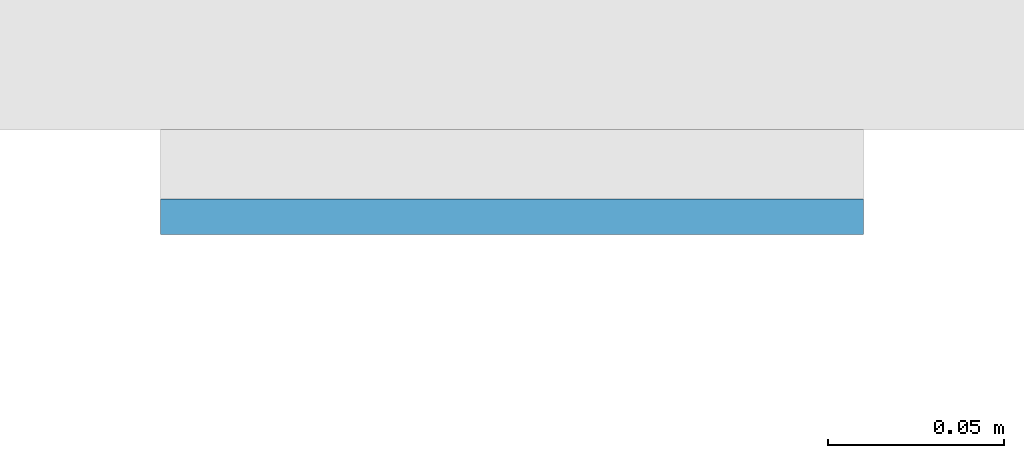
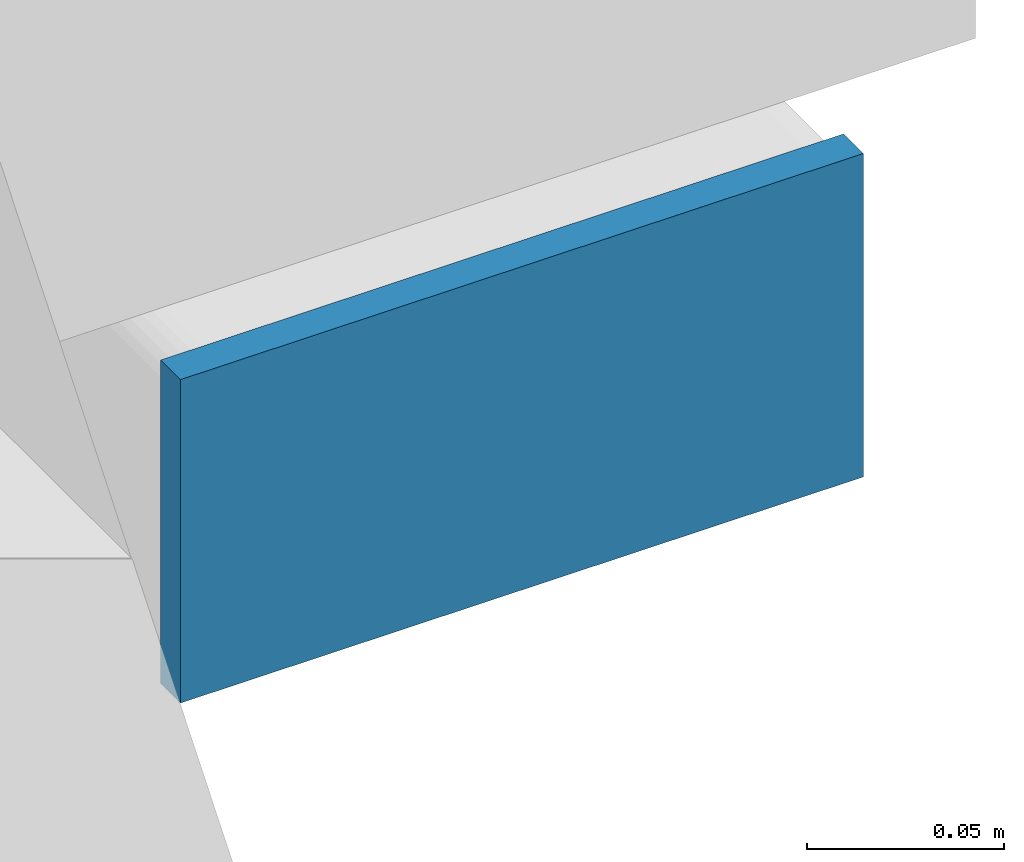
# One storey, part 5 of 12: 1 plate.
"""IFC4 building model written with IfcOpenShell, lengths in metres."""

from ifc_helpers import new_model, si_unit, direction, frame, origin, origin_2d, place, context, subcontext, project, spatial, rectangle, extrude, material, layer, layer_set, type_object, element, save


model = new_model("IFC4")

# Units and contexts
model_context = context("Model", 3, precision=1e-05, world=origin(), true_north=direction((0.0, 1.0)))
body_context = subcontext(model_context, "Body", "Model", "MODEL_VIEW")
ifc_project = project(units=[si_unit("LENGTHUNIT", "METRE"), si_unit("AREAUNIT", "SQUARE_METRE"), si_unit("VOLUMEUNIT", "CUBIC_METRE"), si_unit("PLANEANGLEUNIT", "RADIAN"), si_unit("MASSUNIT", "GRAM", prefix="KILO")], contexts=[model_context])

# Site, building, storey
site_placement = place(None, origin())
site = spatial("IfcSite", under=ifc_project, at=site_placement, CompositionType="ELEMENT")
building_placement = place(site_placement, origin())
building = spatial("IfcBuilding", under=site, at=building_placement, Name="Cleftline Residences", CompositionType="ELEMENT")
storey_placement = place(building_placement, frame((0.0, 0.0, 244.800048828125)))
storey = spatial("IfcBuildingStorey", under=building, at=storey_placement, Name="L64", CompositionType="ELEMENT", Elevation=244.800048828125)

# Plate
ifc_material = material(Name="Steel S355, hot-dip galvanised", Category="steel")
ifc_layer = layer(ifc_material, 0.010009765625)
ifc_layer_set = layer_set([ifc_layer], Name="BAGUETTE CARRIER END PLATE 200X100X10")
plate_type = type_object("IfcPlateType", Name="BAGUETTE CARRIER END PLATE 200X100X10", PredefinedType="USERDEFINED", material=ifc_layer_set)
plate_placement = place(storey_placement, frame((66.85009765625, 3.695068359375, -0.10009765625), z_axis=(0.0, 0.0, 1.0), x_axis=(1.0, 0.0, 0.0)))
element("IfcPlate", 1, at=plate_placement, inside=storey, type_object=plate_type, Name="Baguette carrier end plate", ObjectType="BAGUETTE CARRIER END PLATE", PredefinedType="USERDEFINED", context=body_context, shape_type="SweptSolid", body=[
    extrude(rectangle(XDim=0.199951171875, YDim=0.010009765625, at=origin_2d()), origin(), (0.0, 0.0, 1.0), 0.10009765625),
])

save(model, "model.ifc")
